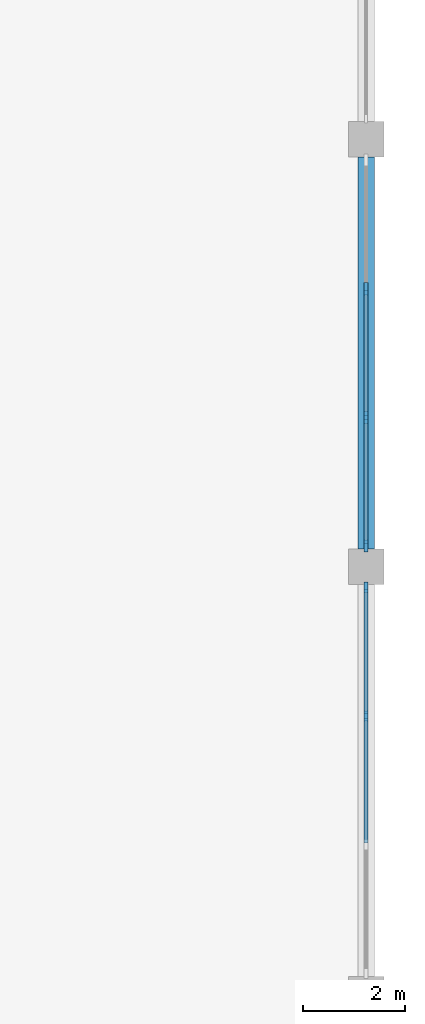
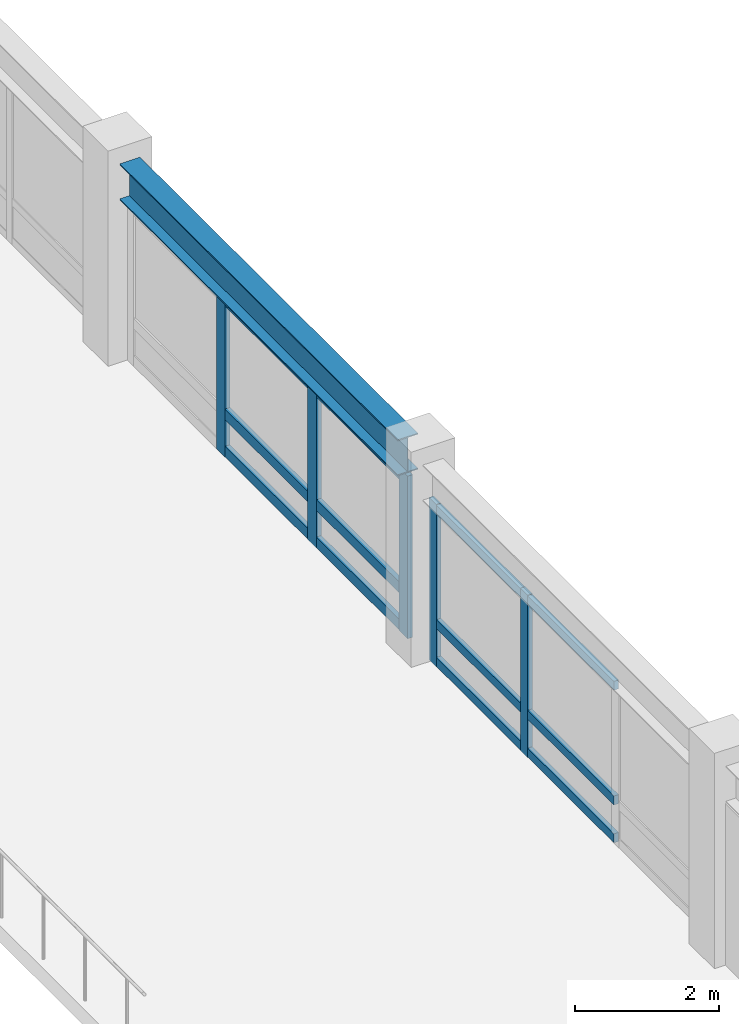
# One storey, part 42 of 118: 17 members, 1 beam, 2 elements without a shape of their own.
"""IFC4 building model written with IfcOpenShell, lengths in metres."""

from ifc_helpers import new_model, si_unit, direction, frame, origin, origin_2d, place, context, subcontext, project, spatial, rectangle, i_section, extrude, material, material_profile, profile_set, type_object, element, aggregate, save


model = new_model("IFC4")

# Units and contexts
model_context = context("Model", 3, precision=1e-05, world=origin(), true_north=direction((0.0, 1.0)))
body_context = subcontext(model_context, "Body", "Model", "MODEL_VIEW")
ifc_project = project(units=[si_unit("LENGTHUNIT", "METRE"), si_unit("AREAUNIT", "SQUARE_METRE"), si_unit("VOLUMEUNIT", "CUBIC_METRE"), si_unit("PLANEANGLEUNIT", "RADIAN"), si_unit("MASSUNIT", "GRAM", prefix="KILO")], contexts=[model_context])

# Site, building, storey
site_placement = place(None, origin())
site = spatial("IfcSite", under=ifc_project, at=site_placement, CompositionType="ELEMENT")
building_placement = place(site_placement, origin())
building = spatial("IfcBuilding", under=site, at=building_placement, Name="Cumbredor Promenade Congress Hotel", CompositionType="ELEMENT")
storey_placement = place(building_placement, frame((0.0, 0.0, 3.919921875)))
storey = spatial("IfcBuildingStorey", under=building, at=storey_placement, Name="L01", CompositionType="ELEMENT", Elevation=3.919921875)

# Curtain wall, members
ifc_material_1 = material(Name="Thermally broken anodized aluminium and low-E glass", Category="aluminium")
curtain_wall_type = type_object("IfcCurtainWallType", Name="Unitised Bronze Curtain Wall CW-01", PredefinedType="NOTDEFINED", material=ifc_material_1)
curtain_wall_1_placement = place(storey_placement, origin())
curtain_wall_1 = element("IfcCurtainWall", 1, at=curtain_wall_1_placement, inside=storey, type_object=curtain_wall_type, Name="L01 Grand Ballroom Pavilion East Curtain Wall 3", PredefinedType="NOTDEFINED")
ifc_material_2 = material(Name="Thermally broken anodized aluminium", Category="aluminium")
ifc_material_profile_1 = material_profile(ifc_material_2, rectangle(XDim=0.074951171875, YDim=0.199951171875, at=origin_2d()), Name="ALU MULLION 75x200")
ifc_profile_set_1 = profile_set([ifc_material_profile_1], Name="Thermally broken anodized aluminium")
member_type_1 = type_object("IfcMemberType", Name="Curtain Wall Mullion ML-02", PredefinedType="MULLION", material=ifc_profile_set_1)
member_1_placement = place(storey_placement, frame((184.800048828125, 30.6650390625, -0.0078125), z_axis=(0.0, 0.0, 1.0), x_axis=(1.0, 0.0, 0.0)))
member_1 = element("IfcMember", 2, at=member_1_placement, type_object=member_type_1, Name="L01 Grand Ballroom Pavilion East Curtain Wall 3 Mullion 3", PredefinedType="MULLION", context=body_context, shape_type="SweptSolid", body=[
    extrude(rectangle(XDim=0.074951171875, YDim=0.199951171875, at=origin_2d()), origin(), (0.0, 0.0, 1.0), 2.75),
])
member_2_placement = place(storey_placement, frame((184.800048828125, 33.195068359375, -0.0078125), z_axis=(0.0, 0.0, 1.0), x_axis=(1.0, 0.0, 0.0)))
member_2 = element("IfcMember", 3, at=member_2_placement, type_object=member_type_1, Name="L01 Grand Ballroom Pavilion East Curtain Wall 3 Mullion 4", PredefinedType="MULLION", context=body_context, shape_type="SweptSolid", body=[
    extrude(rectangle(XDim=0.074951171875, YDim=0.199951171875, at=origin_2d()), origin(), (0.0, 0.0, 1.0), 2.75),
])

curtain_wall_2_placement = place(storey_placement, origin())
curtain_wall_2 = element("IfcCurtainWall", 4, at=curtain_wall_2_placement, inside=storey, type_object=curtain_wall_type, Name="L01 Grand Ballroom Pavilion East Curtain Wall 4", PredefinedType="NOTDEFINED")
ifc_material_profile_2 = material_profile(ifc_material_2, rectangle(XDim=0.080078125, YDim=0.239990234375, at=origin_2d()), Name="ALU MULLION 80x240")
ifc_profile_set_2 = profile_set([ifc_material_profile_2], Name="Thermally broken anodized aluminium")
member_type_2 = type_object("IfcMemberType", Name="Curtain Wall Mullion ML-03", PredefinedType="MULLION", material=ifc_profile_set_2)
member_3_placement = place(storey_placement, frame((184.800048828125, 34.0048828125, -0.0078125), z_axis=(0.0, 0.0, 1.0), x_axis=(1.0, 0.0, 0.0)))
member_3 = element("IfcMember", 5, at=member_3_placement, type_object=member_type_2, Name="L01 Grand Ballroom Pavilion East Curtain Wall 4 Mullion 1", PredefinedType="MULLION", context=body_context, shape_type="SweptSolid", body=[
    extrude(rectangle(XDim=0.080078125, YDim=0.239990234375, at=origin_2d()), origin(), (0.0, 0.0, 1.0), 2.75),
])
member_4_placement = place(storey_placement, frame((184.800048828125, 36.534912109375, -0.0078125), z_axis=(0.0, 0.0, 1.0), x_axis=(1.0, 0.0, 0.0)))
member_4 = element("IfcMember", 6, at=member_4_placement, type_object=member_type_2, Name="L01 Grand Ballroom Pavilion East Curtain Wall 4 Mullion 2", PredefinedType="MULLION", context=body_context, shape_type="SweptSolid", body=[
    extrude(rectangle(XDim=0.080078125, YDim=0.239990234375, at=origin_2d()), origin(), (0.0, 0.0, 1.0), 2.75),
])
member_5_placement = place(storey_placement, frame((184.800048828125, 39.06494140625, -0.0078125), z_axis=(0.0, 0.0, 1.0), x_axis=(1.0, 0.0, 0.0)))
member_5 = element("IfcMember", 7, at=member_5_placement, type_object=member_type_2, Name="L01 Grand Ballroom Pavilion East Curtain Wall 4 Mullion 3", PredefinedType="MULLION", context=body_context, shape_type="SweptSolid", body=[
    extrude(rectangle(XDim=0.080078125, YDim=0.239990234375, at=origin_2d()), origin(), (0.0, 0.0, 1.0), 2.75),
])

# Member
ifc_material_profile_3 = material_profile(ifc_material_2, rectangle(XDim=0.074951171875, YDim=0.14990234375, at=origin_2d()), Name="ALU TRANSOM 75x150")
ifc_profile_set_3 = profile_set([ifc_material_profile_3], Name="Thermally broken anodized aluminium")
member_type_3 = type_object("IfcMemberType", Name="Curtain Wall Transom TR-02", PredefinedType="USERDEFINED", material=ifc_profile_set_3)
member_6_placement = place(storey_placement, frame((184.800048828125, 28.172607421875, 0.080078125), z_axis=(0.0, 1.0, 0.0), x_axis=(-1.0, 0.0, 0.0)))
member_6 = element("IfcMember", 8, at=member_6_placement, type_object=member_type_3, Name="L01 Grand Ballroom Pavilion East Curtain Wall 3 Transom 2.1", ObjectType="TRANSOM", PredefinedType="USERDEFINED", context=body_context, shape_type="SweptSolid", body=[
    extrude(rectangle(XDim=0.074951171875, YDim=0.14990234375, at=origin_2d()), origin(), (0.0, 0.0, 1.0), 2.454833984375),
])

member_7_placement = place(storey_placement, frame((184.800048828125, 28.172607421875, 0.719970703125), z_axis=(0.0, 1.0, 0.0), x_axis=(-1.0, 0.0, 0.0)))
member_7 = element("IfcMember", 9, at=member_7_placement, type_object=member_type_3, Name="L01 Grand Ballroom Pavilion East Curtain Wall 3 Transom 2.2", ObjectType="TRANSOM", PredefinedType="USERDEFINED", context=body_context, shape_type="SweptSolid", body=[
    extrude(rectangle(XDim=0.074951171875, YDim=0.14990234375, at=origin_2d()), origin(), (0.0, 0.0, 1.0), 2.454833984375),
])

member_8_placement = place(storey_placement, frame((184.800048828125, 28.172607421875, 2.66015625), z_axis=(0.0, 1.0, 0.0), x_axis=(-1.0, 0.0, 0.0)))
member_8 = element("IfcMember", 10, at=member_8_placement, type_object=member_type_3, Name="L01 Grand Ballroom Pavilion East Curtain Wall 3 Transom 2.3", ObjectType="TRANSOM", PredefinedType="USERDEFINED", context=body_context, shape_type="SweptSolid", body=[
    extrude(rectangle(XDim=0.074951171875, YDim=0.14990234375, at=origin_2d()), origin(), (0.0, 0.0, 1.0), 2.454833984375),
])

member_9_placement = place(storey_placement, frame((184.800048828125, 30.702392578125, 0.080078125), z_axis=(0.0, 1.0, 0.0), x_axis=(-1.0, 0.0, 0.0)))
member_9 = element("IfcMember", 11, at=member_9_placement, type_object=member_type_3, Name="L01 Grand Ballroom Pavilion East Curtain Wall 3 Transom 3.1", ObjectType="TRANSOM", PredefinedType="USERDEFINED", context=body_context, shape_type="SweptSolid", body=[
    extrude(rectangle(XDim=0.074951171875, YDim=0.14990234375, at=origin_2d()), origin(), (0.0, 0.0, 1.0), 2.455078125),
])

member_10_placement = place(storey_placement, frame((184.800048828125, 30.702392578125, 0.719970703125), z_axis=(0.0, 1.0, 0.0), x_axis=(-1.0, 0.0, 0.0)))
member_10 = element("IfcMember", 12, at=member_10_placement, type_object=member_type_3, Name="L01 Grand Ballroom Pavilion East Curtain Wall 3 Transom 3.2", ObjectType="TRANSOM", PredefinedType="USERDEFINED", context=body_context, shape_type="SweptSolid", body=[
    extrude(rectangle(XDim=0.074951171875, YDim=0.14990234375, at=origin_2d()), origin(), (0.0, 0.0, 1.0), 2.455078125),
])

member_11_placement = place(storey_placement, frame((184.800048828125, 30.702392578125, 2.66015625), z_axis=(0.0, 1.0, 0.0), x_axis=(-1.0, 0.0, 0.0)))
member_11 = element("IfcMember", 13, at=member_11_placement, type_object=member_type_3, Name="L01 Grand Ballroom Pavilion East Curtain Wall 3 Transom 3.3", ObjectType="TRANSOM", PredefinedType="USERDEFINED", context=body_context, shape_type="SweptSolid", body=[
    extrude(rectangle(XDim=0.074951171875, YDim=0.14990234375, at=origin_2d()), origin(), (0.0, 0.0, 1.0), 2.455078125),
])

aggregate(curtain_wall_1, [member_1, member_2, member_6, member_7, member_8, member_9, member_10, member_11])

ifc_material_profile_4 = material_profile(ifc_material_2, rectangle(XDim=0.080078125, YDim=0.179931640625, at=origin_2d()), Name="ALU TRANSOM 80x180")
ifc_profile_set_4 = profile_set([ifc_material_profile_4], Name="Thermally broken anodized aluminium")
member_type_4 = type_object("IfcMemberType", Name="Curtain Wall Transom TR-03", PredefinedType="USERDEFINED", material=ifc_profile_set_4)
member_12_placement = place(storey_placement, frame((184.800048828125, 34.044921875, 0.090087890625), z_axis=(0.0, 1.0, 0.0), x_axis=(-1.0, 0.0, 0.0)))
member_12 = element("IfcMember", 14, at=member_12_placement, type_object=member_type_4, Name="L01 Grand Ballroom Pavilion East Curtain Wall 4 Transom 1.1", ObjectType="TRANSOM", PredefinedType="USERDEFINED", context=body_context, shape_type="SweptSolid", body=[
    extrude(rectangle(XDim=0.080078125, YDim=0.179931640625, at=origin_2d()), origin(), (0.0, 0.0, 1.0), 2.4501953125),
])

member_13_placement = place(storey_placement, frame((184.800048828125, 34.044921875, 0.719970703125), z_axis=(0.0, 1.0, 0.0), x_axis=(-1.0, 0.0, 0.0)))
member_13 = element("IfcMember", 15, at=member_13_placement, type_object=member_type_4, Name="L01 Grand Ballroom Pavilion East Curtain Wall 4 Transom 1.2", ObjectType="TRANSOM", PredefinedType="USERDEFINED", context=body_context, shape_type="SweptSolid", body=[
    extrude(rectangle(XDim=0.080078125, YDim=0.179931640625, at=origin_2d()), origin(), (0.0, 0.0, 1.0), 2.4501953125),
])

member_14_placement = place(storey_placement, frame((184.800048828125, 34.044921875, 2.64013671875), z_axis=(0.0, 1.0, 0.0), x_axis=(-1.0, 0.0, 0.0)))
member_14 = element("IfcMember", 16, at=member_14_placement, type_object=member_type_4, Name="L01 Grand Ballroom Pavilion East Curtain Wall 4 Transom 1.3", ObjectType="TRANSOM", PredefinedType="USERDEFINED", context=body_context, shape_type="SweptSolid", body=[
    extrude(rectangle(XDim=0.080078125, YDim=0.179931640625, at=origin_2d()), origin(), (0.0, 0.0, 1.0), 2.4501953125),
])

member_15_placement = place(storey_placement, frame((184.800048828125, 36.574951171875, 0.090087890625), z_axis=(0.0, 1.0, 0.0), x_axis=(-1.0, 0.0, 0.0)))
member_15 = element("IfcMember", 17, at=member_15_placement, type_object=member_type_4, Name="L01 Grand Ballroom Pavilion East Curtain Wall 4 Transom 2.1", ObjectType="TRANSOM", PredefinedType="USERDEFINED", context=body_context, shape_type="SweptSolid", body=[
    extrude(rectangle(XDim=0.080078125, YDim=0.179931640625, at=origin_2d()), origin(), (0.0, 0.0, 1.0), 2.449951171875),
])

member_16_placement = place(storey_placement, frame((184.800048828125, 36.574951171875, 0.719970703125), z_axis=(0.0, 1.0, 0.0), x_axis=(-1.0, 0.0, 0.0)))
member_16 = element("IfcMember", 18, at=member_16_placement, type_object=member_type_4, Name="L01 Grand Ballroom Pavilion East Curtain Wall 4 Transom 2.2", ObjectType="TRANSOM", PredefinedType="USERDEFINED", context=body_context, shape_type="SweptSolid", body=[
    extrude(rectangle(XDim=0.080078125, YDim=0.179931640625, at=origin_2d()), origin(), (0.0, 0.0, 1.0), 2.449951171875),
])

member_17_placement = place(storey_placement, frame((184.800048828125, 36.574951171875, 2.64013671875), z_axis=(0.0, 1.0, 0.0), x_axis=(-1.0, 0.0, 0.0)))
member_17 = element("IfcMember", 19, at=member_17_placement, type_object=member_type_4, Name="L01 Grand Ballroom Pavilion East Curtain Wall 4 Transom 2.3", ObjectType="TRANSOM", PredefinedType="USERDEFINED", context=body_context, shape_type="SweptSolid", body=[
    extrude(rectangle(XDim=0.080078125, YDim=0.179931640625, at=origin_2d()), origin(), (0.0, 0.0, 1.0), 2.449951171875),
])

aggregate(curtain_wall_2, [member_3, member_4, member_5, member_12, member_13, member_14, member_15, member_16, member_17])

# Beam
ifc_material_3 = material(Name="Steel ASTM A992 Grade 50", Category="steel")
ifc_material_profile_5 = material_profile(ifc_material_3, i_section(OverallWidth=0.323974609375, OverallDepth=0.611083984375, WebThickness=0.0126953125, FlangeThickness=0.01904296875, at=origin_2d()), Name="W24X104")
ifc_profile_set_5 = profile_set([ifc_material_profile_5], Name="Steel ASTM A992 Grade 50")
beam_type = type_object("IfcBeamType", Name="SP-W24X104", PredefinedType="SPANDREL", material=ifc_profile_set_5)
beam_placement = place(storey_placement, frame((184.800048828125, 33.949951171875, 3.0546875), z_axis=(0.0, 1.0, 0.0), x_axis=(-1.0, 0.0, 0.0)))
element("IfcBeam", 20, at=beam_placement, inside=storey, type_object=beam_type, Name="L02 Y-Grid Beam 285", PredefinedType="SPANDREL", context=body_context, shape_type="SweptSolid", body=[
    extrude(i_section(OverallWidth=0.323974609375, OverallDepth=0.611083984375, WebThickness=0.0126953125, FlangeThickness=0.01904296875, at=origin_2d()), origin(), (0.0, 0.0, 1.0), 7.699951171875),
])

save(model, "model.ifc")
